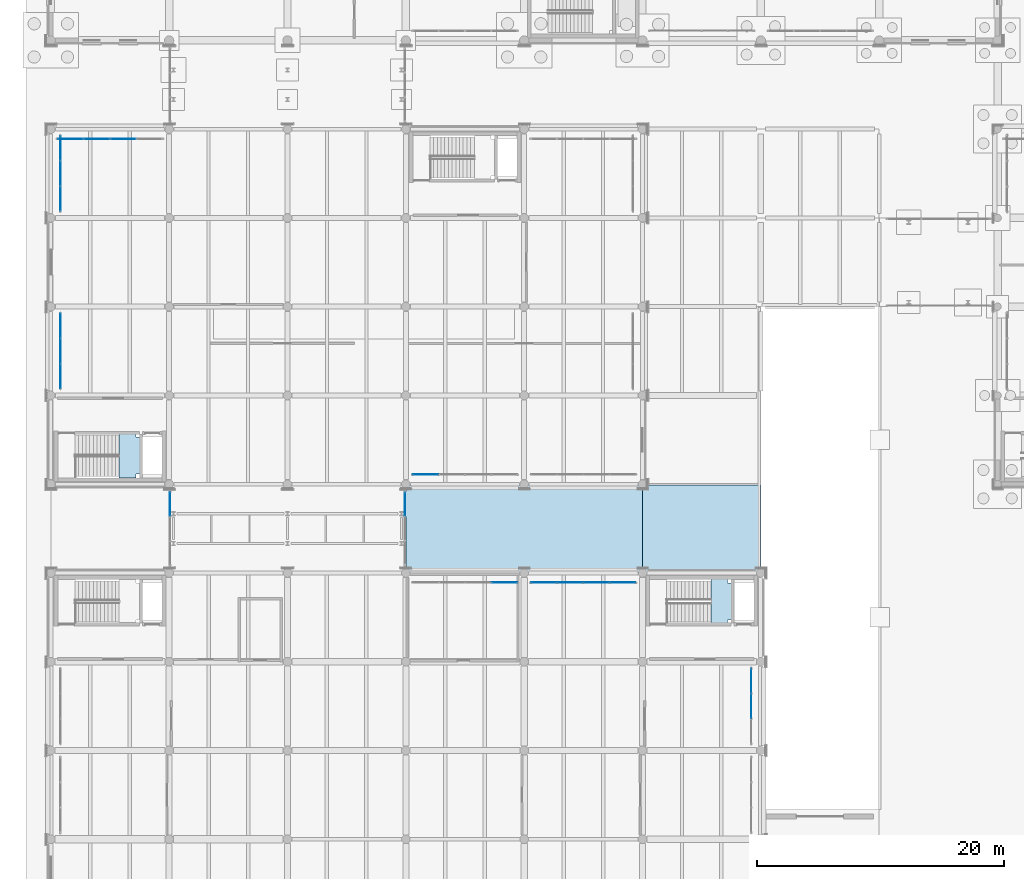
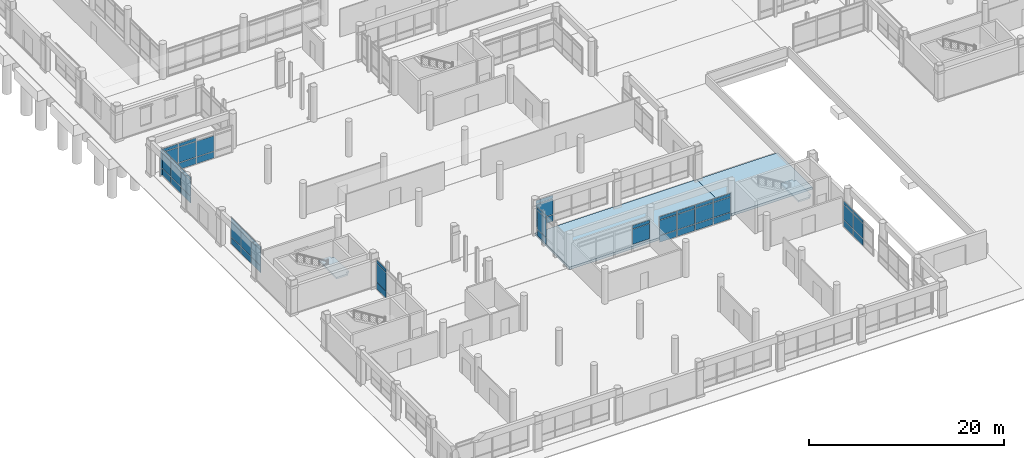
# One storey, part 143 of 196: 55 plates, 4 slabs, 11 elements without a shape of their own.
"""IFC4 building model written with IfcOpenShell, lengths in metres."""

from ifc_helpers import new_model, si_unit, direction, frame, origin, origin_2d, place, context, subcontext, project, spatial, polyline, rectangle, outline, extrude, material, layer, layer_set, type_object, element, aggregate, save


model = new_model("IFC4")

# Units and contexts
model_context = context("Model", 3, precision=1e-05, world=origin(), true_north=direction((0.0, 1.0)))
body_context = subcontext(model_context, "Body", "Model", "MODEL_VIEW")
ifc_project = project(units=[si_unit("LENGTHUNIT", "METRE"), si_unit("AREAUNIT", "SQUARE_METRE"), si_unit("VOLUMEUNIT", "CUBIC_METRE"), si_unit("PLANEANGLEUNIT", "RADIAN"), si_unit("MASSUNIT", "GRAM", prefix="KILO")], contexts=[model_context])

# Site, building, storey
site_placement = place(None, origin())
site = spatial("IfcSite", under=ifc_project, at=site_placement, CompositionType="ELEMENT")
building_placement = place(site_placement, origin())
building = spatial("IfcBuilding", under=site, at=building_placement, Name="Asteropetra Specialist Clinic", CompositionType="ELEMENT")
storey_placement = place(building_placement, origin())
storey = spatial("IfcBuildingStorey", under=building, at=storey_placement, Name="L00", CompositionType="ELEMENT", Elevation=0.0)

# Curtain wall, plates
ifc_material_1 = material(Name="Aluminium and low-E glass", Category="aluminium")
ifc_layer_1 = layer(ifc_material_1, 0.14990234375)
ifc_layer_set_1 = layer_set([ifc_layer_1], Name="Aluminium and low-E glass")
curtain_wall_type_1 = type_object("IfcCurtainWallType", Name="CW-SYS-08", PredefinedType="USERDEFINED", material=ifc_layer_set_1)
curtain_wall_1_placement = place(storey_placement, origin())
curtain_wall_1 = element("IfcCurtainWall", 1, at=curtain_wall_1_placement, inside=storey, type_object=curtain_wall_type_1, Name="Curtain Wall CW-096", ObjectType="STICK GLAZED COLONNADE", PredefinedType="USERDEFINED")
ifc_material_2 = material(Name="Low-E double glazing", Category="glass")
ifc_layer_2 = layer(ifc_material_2, 0.028076171875)
ifc_layer_set_2 = layer_set([ifc_layer_2], Name="Low-E double glazing")
plate_type_1 = type_object("IfcPlateType", Name="CWP-GLZ-28", PredefinedType="CURTAIN_PANEL", material=ifc_layer_set_2)
plate_1_placement = place(storey_placement, frame((28.719970703125, 31.974609375, 0.074951171875), z_axis=(0.0, 0.0, 1.0), x_axis=(0.0, -1.0, 0.0)))
plate_1 = element("IfcPlate", 2, at=plate_1_placement, type_object=plate_type_1, Name="CW-096 panel 1.1", PredefinedType="CURTAIN_PANEL", context=body_context, shape_type="SweptSolid", body=[
    extrude(rectangle(XDim=1.880859375, YDim=0.028076171875, at=origin_2d()), origin(), (0.0, 0.0, 1.0), 0.78759765625),
])
plate_2_placement = place(storey_placement, frame((28.719970703125, 31.974609375, 0.9375), z_axis=(0.0, 0.0, 1.0), x_axis=(0.0, -1.0, 0.0)))
plate_2 = element("IfcPlate", 3, at=plate_2_placement, type_object=plate_type_1, Name="CW-096 panel 1.2", PredefinedType="CURTAIN_PANEL", context=body_context, shape_type="SweptSolid", body=[
    extrude(rectangle(XDim=1.880859375, YDim=0.028076171875, at=origin_2d()), origin(), (0.0, 0.0, 1.0), 2.294921875),
])
plate_3_placement = place(storey_placement, frame((28.719970703125, 31.974609375, 3.3076171875), z_axis=(0.0, 0.0, 1.0), x_axis=(0.0, -1.0, 0.0)))
plate_3 = element("IfcPlate", 4, at=plate_3_placement, type_object=plate_type_1, Name="CW-096 panel 1.3", PredefinedType="CURTAIN_PANEL", context=body_context, shape_type="SweptSolid", body=[
    extrude(rectangle(XDim=1.880859375, YDim=0.028076171875, at=origin_2d()), origin(), (0.0, 0.0, 1.0), 0.387451171875),
])
aggregate(curtain_wall_1, [plate_1, plate_2, plate_3])

ifc_material_3 = material(Name="Aluminium and low-E glass", Category="aluminium")
ifc_layer_3 = layer(ifc_material_3, 0.135009765625)
ifc_layer_set_3 = layer_set([ifc_layer_3], Name="Aluminium and low-E glass")
curtain_wall_type_2 = type_object("IfcCurtainWallType", Name="CW-SYS-09", PredefinedType="USERDEFINED", material=ifc_layer_set_3)
curtain_wall_2_placement = place(storey_placement, origin())
curtain_wall_2 = element("IfcCurtainWall", 5, at=curtain_wall_2_placement, inside=storey, type_object=curtain_wall_type_2, Name="Curtain Wall CW-124", ObjectType="STICK GLAZED COLONNADE", PredefinedType="USERDEFINED")
plate_4_placement = place(storey_placement, frame((36.80126953125, 25.6201171875, 0.9326171875), z_axis=(0.0, 0.0, 1.0), x_axis=(-1.0, 0.0, 0.0)))
plate_4 = element("IfcPlate", 6, at=plate_4_placement, type_object=plate_type_1, Name="CW-124 panel 1.2", PredefinedType="CURTAIN_PANEL", context=body_context, shape_type="SweptSolid", body=[
    extrude(rectangle(XDim=2.047607421875, YDim=0.028076171875, at=origin_2d()), origin(), (0.0, 0.0, 1.0), 1.885009765625),
])
plate_5_placement = place(storey_placement, frame((36.80126953125, 25.6201171875, 2.88232421875), z_axis=(0.0, 0.0, 1.0), x_axis=(-1.0, 0.0, 0.0)))
plate_5 = element("IfcPlate", 7, at=plate_5_placement, type_object=plate_type_1, Name="CW-124 panel 1.3", PredefinedType="CURTAIN_PANEL", context=body_context, shape_type="SweptSolid", body=[
    extrude(rectangle(XDim=2.047607421875, YDim=0.028076171875, at=origin_2d()), origin(), (0.0, 0.0, 1.0), 0.402587890625),
])
aggregate(curtain_wall_2, [plate_4, plate_5])

ifc_material_4 = material(Name="Aluminium and low-E glass", Category="aluminium")
ifc_layer_4 = layer(ifc_material_4, 0.179931640625)
ifc_layer_set_4 = layer_set([ifc_layer_4], Name="Aluminium and low-E glass")
curtain_wall_type_3 = type_object("IfcCurtainWallType", Name="CW-SYS-10", PredefinedType="USERDEFINED", material=ifc_layer_set_4)
curtain_wall_3_placement = place(storey_placement, origin())
curtain_wall_3 = element("IfcCurtainWall", 8, at=curtain_wall_3_placement, inside=storey, type_object=curtain_wall_type_3, Name="Curtain Wall CW-132", ObjectType="STICK GLAZED COLONNADE", PredefinedType="USERDEFINED")
plate_6_placement = place(storey_placement, frame((56.820068359375, 15.60009765625, 0.074951171875), z_axis=(0.0, 0.0, 1.0), x_axis=(0.0, 1.0, 0.0)))
plate_6 = element("IfcPlate", 9, at=plate_6_placement, type_object=plate_type_1, Name="CW-132 panel 2.1", PredefinedType="CURTAIN_PANEL", context=body_context, shape_type="SweptSolid", body=[
    extrude(rectangle(XDim=1.985107421875, YDim=0.028076171875, at=origin_2d()), origin(), (0.0, 0.0, 1.0), 0.78759765625),
])
plate_7_placement = place(storey_placement, frame((56.820068359375, 15.60009765625, 0.9375), z_axis=(0.0, 0.0, 1.0), x_axis=(0.0, 1.0, 0.0)))
plate_7 = element("IfcPlate", 10, at=plate_7_placement, type_object=plate_type_1, Name="CW-132 panel 2.2", PredefinedType="CURTAIN_PANEL", context=body_context, shape_type="SweptSolid", body=[
    extrude(rectangle(XDim=1.985107421875, YDim=0.028076171875, at=origin_2d()), origin(), (0.0, 0.0, 1.0), 1.875),
])
plate_8_placement = place(storey_placement, frame((56.820068359375, 15.60009765625, 2.8876953125), z_axis=(0.0, 0.0, 1.0), x_axis=(0.0, 1.0, 0.0)))
plate_8 = element("IfcPlate", 11, at=plate_8_placement, type_object=plate_type_1, Name="CW-132 panel 2.3", PredefinedType="CURTAIN_PANEL", context=body_context, shape_type="SweptSolid", body=[
    extrude(rectangle(XDim=1.985107421875, YDim=0.028076171875, at=origin_2d()), origin(), (0.0, 0.0, 1.0), 0.387451171875),
])
plate_9_placement = place(storey_placement, frame((56.820068359375, 17.641357421875, 0.074951171875), z_axis=(0.0, 0.0, 1.0), x_axis=(0.0, 1.0, 0.0)))
plate_9 = element("IfcPlate", 12, at=plate_9_placement, type_object=plate_type_1, Name="CW-132 panel 3.1", PredefinedType="CURTAIN_PANEL", context=body_context, shape_type="SweptSolid", body=[
    extrude(rectangle(XDim=1.947509765625, YDim=0.028076171875, at=origin_2d()), origin(), (0.0, 0.0, 1.0), 0.78759765625),
])
plate_10_placement = place(storey_placement, frame((56.820068359375, 17.641357421875, 0.9375), z_axis=(0.0, 0.0, 1.0), x_axis=(0.0, 1.0, 0.0)))
plate_10 = element("IfcPlate", 13, at=plate_10_placement, type_object=plate_type_1, Name="CW-132 panel 3.2", PredefinedType="CURTAIN_PANEL", context=body_context, shape_type="SweptSolid", body=[
    extrude(rectangle(XDim=1.947509765625, YDim=0.028076171875, at=origin_2d()), origin(), (0.0, 0.0, 1.0), 1.875),
])
plate_11_placement = place(storey_placement, frame((56.820068359375, 17.641357421875, 2.8876953125), z_axis=(0.0, 0.0, 1.0), x_axis=(0.0, 1.0, 0.0)))
plate_11 = element("IfcPlate", 14, at=plate_11_placement, type_object=plate_type_1, Name="CW-132 panel 3.3", PredefinedType="CURTAIN_PANEL", context=body_context, shape_type="SweptSolid", body=[
    extrude(rectangle(XDim=1.947509765625, YDim=0.028076171875, at=origin_2d()), origin(), (0.0, 0.0, 1.0), 0.387451171875),
])
aggregate(curtain_wall_3, [plate_6, plate_7, plate_8, plate_9, plate_10, plate_11])

curtain_wall_4_placement = place(storey_placement, origin())
curtain_wall_4 = element("IfcCurtainWall", 15, at=curtain_wall_4_placement, inside=storey, type_object=curtain_wall_type_2, Name="Curtain Wall CW-148", ObjectType="STICK GLAZED COLONNADE", PredefinedType="USERDEFINED")
plate_12_placement = place(storey_placement, frame((30.398681640625, 34.3798828125, 0.06494140625), z_axis=(0.0, 0.0, 1.0), x_axis=(1.0, 0.0, 0.0)))
plate_12 = element("IfcPlate", 16, at=plate_12_placement, type_object=plate_type_1, Name="CW-148 panel 1.1", PredefinedType="CURTAIN_PANEL", context=body_context, shape_type="SweptSolid", body=[
    extrude(rectangle(XDim=2.047607421875, YDim=0.028076171875, at=origin_2d()), origin(), (0.0, 0.0, 1.0), 0.802490234375),
])
plate_13_placement = place(storey_placement, frame((30.398681640625, 34.3798828125, 0.932373046875), z_axis=(0.0, 0.0, 1.0), x_axis=(1.0, 0.0, 0.0)))
plate_13 = element("IfcPlate", 17, at=plate_13_placement, type_object=plate_type_1, Name="CW-148 panel 1.2", PredefinedType="CURTAIN_PANEL", context=body_context, shape_type="SweptSolid", body=[
    extrude(rectangle(XDim=2.047607421875, YDim=0.028076171875, at=origin_2d()), origin(), (0.0, 0.0, 1.0), 1.93505859375),
])
plate_14_placement = place(storey_placement, frame((30.398681640625, 34.3798828125, 2.9326171875), z_axis=(0.0, 0.0, 1.0), x_axis=(1.0, 0.0, 0.0)))
plate_14 = element("IfcPlate", 18, at=plate_14_placement, type_object=plate_type_1, Name="CW-148 panel 1.3", PredefinedType="CURTAIN_PANEL", context=body_context, shape_type="SweptSolid", body=[
    extrude(rectangle(XDim=2.047607421875, YDim=0.028076171875, at=origin_2d()), origin(), (0.0, 0.0, 1.0), 0.402587890625),
])
aggregate(curtain_wall_4, [plate_12, plate_13, plate_14])

ifc_material_5 = material(Name="Aluminium and low-E glass", Category="aluminium")
ifc_layer_5 = layer(ifc_material_5, 0.179931640625)
ifc_layer_set_5 = layer_set([ifc_layer_5], Name="Aluminium and low-E glass")
curtain_wall_type_4 = type_object("IfcCurtainWallType", Name="CW-SYS-01", PredefinedType="USERDEFINED", material=ifc_layer_set_5)
curtain_wall_5_placement = place(storey_placement, origin())
curtain_wall_5 = element("IfcCurtainWall", 19, at=curtain_wall_5_placement, inside=storey, type_object=curtain_wall_type_4, Name="Curtain Wall CW-153", ObjectType="UNITISED CURTAIN WALL", PredefinedType="USERDEFINED")
ifc_material_6 = material(Name="Low-E acoustic double glazing", Category="glass")
ifc_layer_6 = layer(ifc_material_6, 0.031982421875)
ifc_layer_set_6 = layer_set([ifc_layer_6], Name="Low-E acoustic double glazing")
plate_type_2 = type_object("IfcPlateType", Name="CWP-GLZ-32", PredefinedType="CURTAIN_PANEL", material=ifc_layer_set_6)
plate_15_placement = place(storey_placement, frame((0.780029296875, 60.84130859375, 0.074951171875), z_axis=(0.0, 0.0, 1.0), x_axis=(0.0, -1.0, 0.0)))
plate_15 = element("IfcPlate", 20, at=plate_15_placement, type_object=plate_type_2, Name="CW-153 panel 1.1", PredefinedType="CURTAIN_PANEL", context=body_context, shape_type="SweptSolid", body=[
    extrude(rectangle(XDim=1.947509765625, YDim=0.031982421875, at=origin_2d()), origin(), (0.0, 0.0, 1.0), 0.78759765625),
])
plate_16_placement = place(storey_placement, frame((0.780029296875, 60.84130859375, 0.9375), z_axis=(0.0, 0.0, 1.0), x_axis=(0.0, -1.0, 0.0)))
plate_16 = element("IfcPlate", 21, at=plate_16_placement, type_object=plate_type_2, Name="CW-153 panel 1.2", PredefinedType="CURTAIN_PANEL", context=body_context, shape_type="SweptSolid", body=[
    extrude(rectangle(XDim=1.947509765625, YDim=0.031982421875, at=origin_2d()), origin(), (0.0, 0.0, 1.0), 1.925048828125),
])
plate_17_placement = place(storey_placement, frame((0.780029296875, 60.84130859375, 2.9375), z_axis=(0.0, 0.0, 1.0), x_axis=(0.0, -1.0, 0.0)))
plate_17 = element("IfcPlate", 22, at=plate_17_placement, type_object=plate_type_2, Name="CW-153 panel 1.3", PredefinedType="CURTAIN_PANEL", context=body_context, shape_type="SweptSolid", body=[
    extrude(rectangle(XDim=1.947509765625, YDim=0.031982421875, at=origin_2d()), origin(), (0.0, 0.0, 1.0), 0.387451171875),
])
plate_18_placement = place(storey_placement, frame((0.780029296875, 58.800048828125, 0.074951171875), z_axis=(0.0, 0.0, 1.0), x_axis=(0.0, -1.0, 0.0)))
plate_18 = element("IfcPlate", 23, at=plate_18_placement, type_object=plate_type_2, Name="CW-153 panel 2.1", PredefinedType="CURTAIN_PANEL", context=body_context, shape_type="SweptSolid", body=[
    extrude(rectangle(XDim=1.985107421875, YDim=0.031982421875, at=origin_2d()), origin(), (0.0, 0.0, 1.0), 0.78759765625),
])
plate_19_placement = place(storey_placement, frame((0.780029296875, 58.800048828125, 0.9375), z_axis=(0.0, 0.0, 1.0), x_axis=(0.0, -1.0, 0.0)))
plate_19 = element("IfcPlate", 24, at=plate_19_placement, type_object=plate_type_2, Name="CW-153 panel 2.2", PredefinedType="CURTAIN_PANEL", context=body_context, shape_type="SweptSolid", body=[
    extrude(rectangle(XDim=1.985107421875, YDim=0.031982421875, at=origin_2d()), origin(), (0.0, 0.0, 1.0), 1.925048828125),
])
plate_20_placement = place(storey_placement, frame((0.780029296875, 58.800048828125, 2.9375), z_axis=(0.0, 0.0, 1.0), x_axis=(0.0, -1.0, 0.0)))
plate_20 = element("IfcPlate", 25, at=plate_20_placement, type_object=plate_type_2, Name="CW-153 panel 2.3", PredefinedType="CURTAIN_PANEL", context=body_context, shape_type="SweptSolid", body=[
    extrude(rectangle(XDim=1.985107421875, YDim=0.031982421875, at=origin_2d()), origin(), (0.0, 0.0, 1.0), 0.387451171875),
])
plate_21_placement = place(storey_placement, frame((0.780029296875, 56.7587890625, 0.074951171875), z_axis=(0.0, 0.0, 1.0), x_axis=(0.0, -1.0, 0.0)))
plate_21 = element("IfcPlate", 26, at=plate_21_placement, type_object=plate_type_2, Name="CW-153 panel 3.1", PredefinedType="CURTAIN_PANEL", context=body_context, shape_type="SweptSolid", body=[
    extrude(rectangle(XDim=1.947509765625, YDim=0.031982421875, at=origin_2d()), origin(), (0.0, 0.0, 1.0), 0.78759765625),
])
plate_22_placement = place(storey_placement, frame((0.780029296875, 56.7587890625, 0.9375), z_axis=(0.0, 0.0, 1.0), x_axis=(0.0, -1.0, 0.0)))
plate_22 = element("IfcPlate", 27, at=plate_22_placement, type_object=plate_type_2, Name="CW-153 panel 3.2", PredefinedType="CURTAIN_PANEL", context=body_context, shape_type="SweptSolid", body=[
    extrude(rectangle(XDim=1.947509765625, YDim=0.031982421875, at=origin_2d()), origin(), (0.0, 0.0, 1.0), 1.925048828125),
])
plate_23_placement = place(storey_placement, frame((0.780029296875, 56.7587890625, 2.9375), z_axis=(0.0, 0.0, 1.0), x_axis=(0.0, -1.0, 0.0)))
plate_23 = element("IfcPlate", 28, at=plate_23_placement, type_object=plate_type_2, Name="CW-153 panel 3.3", PredefinedType="CURTAIN_PANEL", context=body_context, shape_type="SweptSolid", body=[
    extrude(rectangle(XDim=1.947509765625, YDim=0.031982421875, at=origin_2d()), origin(), (0.0, 0.0, 1.0), 0.387451171875),
])
aggregate(curtain_wall_5, [plate_15, plate_16, plate_17, plate_18, plate_19, plate_20, plate_21, plate_22, plate_23])

ifc_material_7 = material(Name="Aluminium and low-E glass", Category="aluminium")
ifc_layer_7 = layer(ifc_material_7, 0.14990234375)
ifc_layer_set_7 = layer_set([ifc_layer_7], Name="Aluminium and low-E glass")
curtain_wall_type_5 = type_object("IfcCurtainWallType", Name="CW-SYS-11", PredefinedType="USERDEFINED", material=ifc_layer_set_7)
curtain_wall_6_placement = place(storey_placement, origin())
curtain_wall_6 = element("IfcCurtainWall", 29, at=curtain_wall_6_placement, inside=storey, type_object=curtain_wall_type_5, Name="Curtain Wall CW-126", ObjectType="STICK GLAZED COLONNADE", PredefinedType="USERDEFINED")
ifc_material_8 = material(Name="Solar-control triple glazing", Category="glass")
ifc_layer_8 = layer(ifc_material_8, 0.035888671875)
ifc_layer_set_8 = layer_set([ifc_layer_8], Name="Solar-control triple glazing")
plate_type_3 = type_object("IfcPlateType", Name="CWP-GLZ-36", PredefinedType="CURTAIN_PANEL", material=ifc_layer_set_8)
plate_24_placement = place(storey_placement, frame((46.398681640625, 25.6201171875, 0.074951171875), z_axis=(0.0, 0.0, 1.0), x_axis=(-1.0, 0.0, 0.0)))
plate_24 = element("IfcPlate", 30, at=plate_24_placement, type_object=plate_type_3, Name="CW-126 panel 1.1", PredefinedType="CURTAIN_PANEL", context=body_context, shape_type="SweptSolid", body=[
    extrude(rectangle(XDim=2.032470703125, YDim=0.035888671875, at=origin_2d()), origin(), (0.0, 0.0, 1.0), 0.78759765625),
])
plate_25_placement = place(storey_placement, frame((46.398681640625, 25.6201171875, 0.9375), z_axis=(0.0, 0.0, 1.0), x_axis=(-1.0, 0.0, 0.0)))
plate_25 = element("IfcPlate", 31, at=plate_25_placement, type_object=plate_type_3, Name="CW-126 panel 1.2", PredefinedType="CURTAIN_PANEL", context=body_context, shape_type="SweptSolid", body=[
    extrude(rectangle(XDim=2.032470703125, YDim=0.035888671875, at=origin_2d()), origin(), (0.0, 0.0, 1.0), 1.875),
])
plate_26_placement = place(storey_placement, frame((46.398681640625, 25.6201171875, 2.8876953125), z_axis=(0.0, 0.0, 1.0), x_axis=(-1.0, 0.0, 0.0)))
plate_26 = element("IfcPlate", 32, at=plate_26_placement, type_object=plate_type_3, Name="CW-126 panel 1.3", PredefinedType="CURTAIN_PANEL", context=body_context, shape_type="SweptSolid", body=[
    extrude(rectangle(XDim=2.032470703125, YDim=0.035888671875, at=origin_2d()), origin(), (0.0, 0.0, 1.0), 0.387451171875),
])
plate_27_placement = place(storey_placement, frame((44.2724609375, 25.6201171875, 0.074951171875), z_axis=(0.0, 0.0, 1.0), x_axis=(-1.0, 0.0, 0.0)))
plate_27 = element("IfcPlate", 33, at=plate_27_placement, type_object=plate_type_3, Name="CW-126 panel 2.1", PredefinedType="CURTAIN_PANEL", context=body_context, shape_type="SweptSolid", body=[
    extrude(rectangle(XDim=2.070068359375, YDim=0.035888671875, at=origin_2d()), origin(), (0.0, 0.0, 1.0), 0.78759765625),
])
plate_28_placement = place(storey_placement, frame((44.2724609375, 25.6201171875, 0.9375), z_axis=(0.0, 0.0, 1.0), x_axis=(-1.0, 0.0, 0.0)))
plate_28 = element("IfcPlate", 34, at=plate_28_placement, type_object=plate_type_3, Name="CW-126 panel 2.2", PredefinedType="CURTAIN_PANEL", context=body_context, shape_type="SweptSolid", body=[
    extrude(rectangle(XDim=2.070068359375, YDim=0.035888671875, at=origin_2d()), origin(), (0.0, 0.0, 1.0), 1.875),
])
plate_29_placement = place(storey_placement, frame((44.2724609375, 25.6201171875, 2.8876953125), z_axis=(0.0, 0.0, 1.0), x_axis=(-1.0, 0.0, 0.0)))
plate_29 = element("IfcPlate", 35, at=plate_29_placement, type_object=plate_type_3, Name="CW-126 panel 2.3", PredefinedType="CURTAIN_PANEL", context=body_context, shape_type="SweptSolid", body=[
    extrude(rectangle(XDim=2.070068359375, YDim=0.035888671875, at=origin_2d()), origin(), (0.0, 0.0, 1.0), 0.387451171875),
])
plate_30_placement = place(storey_placement, frame((42.12744140625, 25.6201171875, 0.074951171875), z_axis=(0.0, 0.0, 1.0), x_axis=(-1.0, 0.0, 0.0)))
plate_30 = element("IfcPlate", 36, at=plate_30_placement, type_object=plate_type_3, Name="CW-126 panel 3.1", PredefinedType="CURTAIN_PANEL", context=body_context, shape_type="SweptSolid", body=[
    extrude(rectangle(XDim=2.070068359375, YDim=0.035888671875, at=origin_2d()), origin(), (0.0, 0.0, 1.0), 0.78759765625),
])
plate_31_placement = place(storey_placement, frame((42.12744140625, 25.6201171875, 0.9375), z_axis=(0.0, 0.0, 1.0), x_axis=(-1.0, 0.0, 0.0)))
plate_31 = element("IfcPlate", 37, at=plate_31_placement, type_object=plate_type_3, Name="CW-126 panel 3.2", PredefinedType="CURTAIN_PANEL", context=body_context, shape_type="SweptSolid", body=[
    extrude(rectangle(XDim=2.070068359375, YDim=0.035888671875, at=origin_2d()), origin(), (0.0, 0.0, 1.0), 1.875),
])
plate_32_placement = place(storey_placement, frame((42.12744140625, 25.6201171875, 2.8876953125), z_axis=(0.0, 0.0, 1.0), x_axis=(-1.0, 0.0, 0.0)))
plate_32 = element("IfcPlate", 38, at=plate_32_placement, type_object=plate_type_3, Name="CW-126 panel 3.3", PredefinedType="CURTAIN_PANEL", context=body_context, shape_type="SweptSolid", body=[
    extrude(rectangle(XDim=2.070068359375, YDim=0.035888671875, at=origin_2d()), origin(), (0.0, 0.0, 1.0), 0.387451171875),
])
plate_33_placement = place(storey_placement, frame((40.001220703125, 25.6201171875, 0.074951171875), z_axis=(0.0, 0.0, 1.0), x_axis=(-1.0, 0.0, 0.0)))
plate_33 = element("IfcPlate", 39, at=plate_33_placement, type_object=plate_type_3, Name="CW-126 panel 4.1", PredefinedType="CURTAIN_PANEL", context=body_context, shape_type="SweptSolid", body=[
    extrude(rectangle(XDim=2.032470703125, YDim=0.035888671875, at=origin_2d()), origin(), (0.0, 0.0, 1.0), 0.78759765625),
])
plate_34_placement = place(storey_placement, frame((40.001220703125, 25.6201171875, 0.9375), z_axis=(0.0, 0.0, 1.0), x_axis=(-1.0, 0.0, 0.0)))
plate_34 = element("IfcPlate", 40, at=plate_34_placement, type_object=plate_type_3, Name="CW-126 panel 4.2", PredefinedType="CURTAIN_PANEL", context=body_context, shape_type="SweptSolid", body=[
    extrude(rectangle(XDim=2.032470703125, YDim=0.035888671875, at=origin_2d()), origin(), (0.0, 0.0, 1.0), 1.875),
])
plate_35_placement = place(storey_placement, frame((40.001220703125, 25.6201171875, 2.8876953125), z_axis=(0.0, 0.0, 1.0), x_axis=(-1.0, 0.0, 0.0)))
plate_35 = element("IfcPlate", 41, at=plate_35_placement, type_object=plate_type_3, Name="CW-126 panel 4.3", PredefinedType="CURTAIN_PANEL", context=body_context, shape_type="SweptSolid", body=[
    extrude(rectangle(XDim=2.032470703125, YDim=0.035888671875, at=origin_2d()), origin(), (0.0, 0.0, 1.0), 0.387451171875),
])
aggregate(curtain_wall_6, [plate_24, plate_25, plate_26, plate_27, plate_28, plate_29, plate_30, plate_31, plate_32, plate_33, plate_34, plate_35])

ifc_material_9 = material(Name="Aluminium and low-E glass", Category="aluminium")
ifc_layer_9 = layer(ifc_material_9, 0.179931640625)
ifc_layer_set_9 = layer_set([ifc_layer_9], Name="Aluminium and low-E glass")
curtain_wall_type_6 = type_object("IfcCurtainWallType", Name="CW-SYS-07", PredefinedType="USERDEFINED", material=ifc_layer_set_9)
curtain_wall_7_placement = place(storey_placement, origin())
curtain_wall_7 = element("IfcCurtainWall", 42, at=curtain_wall_7_placement, inside=storey, type_object=curtain_wall_type_6, Name="Curtain Wall CW-095", ObjectType="STICK GLAZED COLONNADE", PredefinedType="USERDEFINED")
ifc_material_10 = material(Name="Laminated skylight glazing", Category="glass")
ifc_layer_10 = layer(ifc_material_10, 0.0400390625)
ifc_layer_set_10 = layer_set([ifc_layer_10], Name="Laminated skylight glazing")
plate_type_4 = type_object("IfcPlateType", Name="CWP-GLZ-40", PredefinedType="CURTAIN_PANEL", material=ifc_layer_set_10)
plate_36_placement = place(storey_placement, frame((9.679931640625, 31.978271484375, 0.06005859375), z_axis=(0.0, 0.0, 1.0), x_axis=(0.0, 1.0, 0.0)))
plate_36 = element("IfcPlate", 43, at=plate_36_placement, type_object=plate_type_4, Name="CW-095 panel 3.1", PredefinedType="CURTAIN_PANEL", context=body_context, shape_type="SweptSolid", body=[
    extrude(rectangle(XDim=1.9033203125, YDim=0.0400390625, at=origin_2d()), origin(), (0.0, 0.0, 1.0), 0.81005859375),
])
plate_37_placement = place(storey_placement, frame((9.679931640625, 31.978271484375, 0.929931640625), z_axis=(0.0, 0.0, 1.0), x_axis=(0.0, 1.0, 0.0)))
plate_37 = element("IfcPlate", 44, at=plate_37_placement, type_object=plate_type_4, Name="CW-095 panel 3.2", PredefinedType="CURTAIN_PANEL", context=body_context, shape_type="SweptSolid", body=[
    extrude(rectangle(XDim=1.9033203125, YDim=0.0400390625, at=origin_2d()), origin(), (0.0, 0.0, 1.0), 2.31005859375),
])
plate_38_placement = place(storey_placement, frame((9.679931640625, 31.978271484375, 3.2998046875), z_axis=(0.0, 0.0, 1.0), x_axis=(0.0, 1.0, 0.0)))
plate_38 = element("IfcPlate", 45, at=plate_38_placement, type_object=plate_type_4, Name="CW-095 panel 3.3", PredefinedType="CURTAIN_PANEL", context=body_context, shape_type="SweptSolid", body=[
    extrude(rectangle(XDim=1.9033203125, YDim=0.0400390625, at=origin_2d()), origin(), (0.0, 0.0, 1.0), 0.409912109375),
])
aggregate(curtain_wall_7, [plate_36, plate_37, plate_38])

curtain_wall_8_placement = place(storey_placement, origin())
curtain_wall_8 = element("IfcCurtainWall", 46, at=curtain_wall_8_placement, inside=storey, type_object=curtain_wall_type_2, Name="Curtain Wall CW-147", ObjectType="STICK GLAZED COLONNADE", PredefinedType="USERDEFINED")
plate_39_placement = place(storey_placement, frame((5.87255859375, 61.6201171875, 0.074951171875), z_axis=(0.0, 0.0, 1.0), x_axis=(-1.0, 0.0, 0.0)))
plate_39 = element("IfcPlate", 47, at=plate_39_placement, type_object=plate_type_4, Name="CW-147 panel 2.1", PredefinedType="CURTAIN_PANEL", context=body_context, shape_type="SweptSolid", body=[
    extrude(rectangle(XDim=2.070068359375, YDim=0.0400390625, at=origin_2d()), origin(), (0.0, 0.0, 1.0), 0.78759765625),
])
plate_40_placement = place(storey_placement, frame((5.87255859375, 61.6201171875, 0.9375), z_axis=(0.0, 0.0, 1.0), x_axis=(-1.0, 0.0, 0.0)))
plate_40 = element("IfcPlate", 48, at=plate_40_placement, type_object=plate_type_4, Name="CW-147 panel 2.2", PredefinedType="CURTAIN_PANEL", context=body_context, shape_type="SweptSolid", body=[
    extrude(rectangle(XDim=2.070068359375, YDim=0.0400390625, at=origin_2d()), origin(), (0.0, 0.0, 1.0), 1.925048828125),
])
plate_41_placement = place(storey_placement, frame((3.7275390625, 61.6201171875, 0.074951171875), z_axis=(0.0, 0.0, 1.0), x_axis=(-1.0, 0.0, 0.0)))
plate_41 = element("IfcPlate", 49, at=plate_41_placement, type_object=plate_type_4, Name="CW-147 panel 3.1", PredefinedType="CURTAIN_PANEL", context=body_context, shape_type="SweptSolid", body=[
    extrude(rectangle(XDim=2.070068359375, YDim=0.0400390625, at=origin_2d()), origin(), (0.0, 0.0, 1.0), 0.78759765625),
])
plate_42_placement = place(storey_placement, frame((3.7275390625, 61.6201171875, 0.9375), z_axis=(0.0, 0.0, 1.0), x_axis=(-1.0, 0.0, 0.0)))
plate_42 = element("IfcPlate", 50, at=plate_42_placement, type_object=plate_type_4, Name="CW-147 panel 3.2", PredefinedType="CURTAIN_PANEL", context=body_context, shape_type="SweptSolid", body=[
    extrude(rectangle(XDim=2.070068359375, YDim=0.0400390625, at=origin_2d()), origin(), (0.0, 0.0, 1.0), 1.925048828125),
])
plate_43_placement = place(storey_placement, frame((3.7275390625, 61.6201171875, 2.9375), z_axis=(0.0, 0.0, 1.0), x_axis=(-1.0, 0.0, 0.0)))
plate_43 = element("IfcPlate", 51, at=plate_43_placement, type_object=plate_type_4, Name="CW-147 panel 3.3", PredefinedType="CURTAIN_PANEL", context=body_context, shape_type="SweptSolid", body=[
    extrude(rectangle(XDim=2.070068359375, YDim=0.0400390625, at=origin_2d()), origin(), (0.0, 0.0, 1.0), 0.387451171875),
])
plate_44_placement = place(storey_placement, frame((1.601318359375, 61.6201171875, 0.074951171875), z_axis=(0.0, 0.0, 1.0), x_axis=(-1.0, 0.0, 0.0)))
plate_44 = element("IfcPlate", 52, at=plate_44_placement, type_object=plate_type_4, Name="CW-147 panel 4.1", PredefinedType="CURTAIN_PANEL", context=body_context, shape_type="SweptSolid", body=[
    extrude(rectangle(XDim=2.032470703125, YDim=0.0400390625, at=origin_2d()), origin(), (0.0, 0.0, 1.0), 0.78759765625),
])
plate_45_placement = place(storey_placement, frame((1.601318359375, 61.6201171875, 0.9375), z_axis=(0.0, 0.0, 1.0), x_axis=(-1.0, 0.0, 0.0)))
plate_45 = element("IfcPlate", 53, at=plate_45_placement, type_object=plate_type_4, Name="CW-147 panel 4.2", PredefinedType="CURTAIN_PANEL", context=body_context, shape_type="SweptSolid", body=[
    extrude(rectangle(XDim=2.032470703125, YDim=0.0400390625, at=origin_2d()), origin(), (0.0, 0.0, 1.0), 1.925048828125),
])
plate_46_placement = place(storey_placement, frame((1.601318359375, 61.6201171875, 2.9375), z_axis=(0.0, 0.0, 1.0), x_axis=(-1.0, 0.0, 0.0)))
plate_46 = element("IfcPlate", 54, at=plate_46_placement, type_object=plate_type_4, Name="CW-147 panel 4.3", PredefinedType="CURTAIN_PANEL", context=body_context, shape_type="SweptSolid", body=[
    extrude(rectangle(XDim=2.032470703125, YDim=0.0400390625, at=origin_2d()), origin(), (0.0, 0.0, 1.0), 0.387451171875),
])
aggregate(curtain_wall_8, [plate_39, plate_40, plate_41, plate_42, plate_43, plate_44, plate_45, plate_46])

curtain_wall_9_placement = place(storey_placement, origin())
curtain_wall_9 = element("IfcCurtainWall", 55, at=curtain_wall_9_placement, inside=storey, type_object=curtain_wall_type_3, Name="Curtain Wall CW-151", ObjectType="STICK GLAZED COLONNADE", PredefinedType="USERDEFINED")
plate_47_placement = place(storey_placement, frame((0.780029296875, 46.44384765625, 0.06494140625), z_axis=(0.0, 0.0, 1.0), x_axis=(0.0, -1.0, 0.0)))
plate_47 = element("IfcPlate", 56, at=plate_47_placement, type_object=plate_type_4, Name="CW-151 panel 1.1", PredefinedType="CURTAIN_PANEL", context=body_context, shape_type="SweptSolid", body=[
    extrude(rectangle(XDim=1.96240234375, YDim=0.0400390625, at=origin_2d()), origin(), (0.0, 0.0, 1.0), 0.802490234375),
])
plate_48_placement = place(storey_placement, frame((0.780029296875, 46.44384765625, 0.932373046875), z_axis=(0.0, 0.0, 1.0), x_axis=(0.0, -1.0, 0.0)))
plate_48 = element("IfcPlate", 57, at=plate_48_placement, type_object=plate_type_4, Name="CW-151 panel 1.2", PredefinedType="CURTAIN_PANEL", context=body_context, shape_type="SweptSolid", body=[
    extrude(rectangle(XDim=1.96240234375, YDim=0.0400390625, at=origin_2d()), origin(), (0.0, 0.0, 1.0), 1.93505859375),
])
plate_49_placement = place(storey_placement, frame((0.780029296875, 46.44384765625, 2.9326171875), z_axis=(0.0, 0.0, 1.0), x_axis=(0.0, -1.0, 0.0)))
plate_49 = element("IfcPlate", 58, at=plate_49_placement, type_object=plate_type_4, Name="CW-151 panel 1.3", PredefinedType="CURTAIN_PANEL", context=body_context, shape_type="SweptSolid", body=[
    extrude(rectangle(XDim=1.96240234375, YDim=0.0400390625, at=origin_2d()), origin(), (0.0, 0.0, 1.0), 0.402587890625),
])
plate_50_placement = place(storey_placement, frame((0.780029296875, 44.39990234375, 0.06494140625), z_axis=(0.0, 0.0, 1.0), x_axis=(0.0, -1.0, 0.0)))
plate_50 = element("IfcPlate", 59, at=plate_50_placement, type_object=plate_type_4, Name="CW-151 panel 2.1", PredefinedType="CURTAIN_PANEL", context=body_context, shape_type="SweptSolid", body=[
    extrude(rectangle(XDim=1.9951171875, YDim=0.0400390625, at=origin_2d()), origin(), (0.0, 0.0, 1.0), 0.802490234375),
])
plate_51_placement = place(storey_placement, frame((0.780029296875, 44.39990234375, 0.932373046875), z_axis=(0.0, 0.0, 1.0), x_axis=(0.0, -1.0, 0.0)))
plate_51 = element("IfcPlate", 60, at=plate_51_placement, type_object=plate_type_4, Name="CW-151 panel 2.2", PredefinedType="CURTAIN_PANEL", context=body_context, shape_type="SweptSolid", body=[
    extrude(rectangle(XDim=1.9951171875, YDim=0.0400390625, at=origin_2d()), origin(), (0.0, 0.0, 1.0), 1.93505859375),
])
plate_52_placement = place(storey_placement, frame((0.780029296875, 44.39990234375, 2.9326171875), z_axis=(0.0, 0.0, 1.0), x_axis=(0.0, -1.0, 0.0)))
plate_52 = element("IfcPlate", 61, at=plate_52_placement, type_object=plate_type_4, Name="CW-151 panel 2.3", PredefinedType="CURTAIN_PANEL", context=body_context, shape_type="SweptSolid", body=[
    extrude(rectangle(XDim=1.9951171875, YDim=0.0400390625, at=origin_2d()), origin(), (0.0, 0.0, 1.0), 0.402587890625),
])
plate_53_placement = place(storey_placement, frame((0.780029296875, 42.356201171875, 0.06494140625), z_axis=(0.0, 0.0, 1.0), x_axis=(0.0, -1.0, 0.0)))
plate_53 = element("IfcPlate", 62, at=plate_53_placement, type_object=plate_type_4, Name="CW-151 panel 3.1", PredefinedType="CURTAIN_PANEL", context=body_context, shape_type="SweptSolid", body=[
    extrude(rectangle(XDim=1.96240234375, YDim=0.0400390625, at=origin_2d()), origin(), (0.0, 0.0, 1.0), 0.802490234375),
])
plate_54_placement = place(storey_placement, frame((0.780029296875, 42.356201171875, 0.932373046875), z_axis=(0.0, 0.0, 1.0), x_axis=(0.0, -1.0, 0.0)))
plate_54 = element("IfcPlate", 63, at=plate_54_placement, type_object=plate_type_4, Name="CW-151 panel 3.2", PredefinedType="CURTAIN_PANEL", context=body_context, shape_type="SweptSolid", body=[
    extrude(rectangle(XDim=1.96240234375, YDim=0.0400390625, at=origin_2d()), origin(), (0.0, 0.0, 1.0), 1.93505859375),
])
plate_55_placement = place(storey_placement, frame((0.780029296875, 42.356201171875, 2.9326171875), z_axis=(0.0, 0.0, 1.0), x_axis=(0.0, -1.0, 0.0)))
plate_55 = element("IfcPlate", 64, at=plate_55_placement, type_object=plate_type_4, Name="CW-151 panel 3.3", PredefinedType="CURTAIN_PANEL", context=body_context, shape_type="SweptSolid", body=[
    extrude(rectangle(XDim=1.96240234375, YDim=0.0400390625, at=origin_2d()), origin(), (0.0, 0.0, 1.0), 0.402587890625),
])
aggregate(curtain_wall_9, [plate_47, plate_48, plate_49, plate_50, plate_51, plate_52, plate_53, plate_54, plate_55])

# Stair, slab
ifc_material_11 = material(Name="Concrete C35/45", Category="concrete")
stair_type_1 = type_object("IfcStairType", Name="STR-DOG-165", PredefinedType="TWO_STRAIGHT_RUN_STAIR", material=ifc_material_11)
stair_1_placement = place(storey_placement, origin())
stair_1 = element("IfcStair", 65, at=stair_1_placement, inside=storey, type_object=stair_type_1, Name="Type I Stair ST04-L00", PredefinedType="TWO_STRAIGHT_RUN_STAIR")
ifc_material_12 = material(Name="Concrete C35/45", Category="concrete")
ifc_layer_11 = layer(ifc_material_12, 0.199951171875)
ifc_layer_set_11 = layer_set([ifc_layer_11], Name="Concrete C35/45")
slab_type_1 = type_object("IfcSlabType", Name="SLB-LND-200", PredefinedType="LANDING", material=ifc_layer_set_11)
slab_1_placement = place(storey_placement, frame((0.0, 0.0, 2.010009765625)))
slab_1 = element("IfcSlab", 66, at=slab_1_placement, type_object=slab_type_1, Name="ST04-L00 landing 1", PredefinedType="LANDING", context=body_context, shape_type="SweptSolid", body=[
    extrude(outline(polyline([(5.550048828125, 34.090087890625), (6.89990234375, 34.090087890625), (6.89990234375, 34.409912109375), (7.219970703125, 34.409912109375), (7.219970703125, 37.409912109375), (6.89990234375, 37.409912109375), (6.89990234375, 37.72998046875), (5.550048828125, 37.72998046875), (5.550048828125, 34.090087890625)])), origin(), (0.0, 0.0, 1.0), 0.199951171875),
])
aggregate(stair_1, [slab_1])

ifc_material_13 = material(Name="Concrete C35/45", Category="concrete")
stair_type_2 = type_object("IfcStairType", Name="STR-DOG-155", PredefinedType="TWO_STRAIGHT_RUN_STAIR", material=ifc_material_13)
stair_2_placement = place(storey_placement, origin())
stair_2 = element("IfcStair", 67, at=stair_2_placement, inside=storey, type_object=stair_type_2, Name="Type I Stair ST07-L00", PredefinedType="TWO_STRAIGHT_RUN_STAIR")
slab_2_placement = place(storey_placement, frame((0.0, 0.0, 2.010009765625)))
slab_2 = element("IfcSlab", 68, at=slab_2_placement, type_object=slab_type_1, Name="ST07-L00 landing 1", PredefinedType="LANDING", context=body_context, shape_type="SweptSolid", body=[
    extrude(outline(polyline([(53.550048828125, 22.27001953125), (54.89990234375, 22.27001953125), (54.89990234375, 22.590087890625), (55.219970703125, 22.590087890625), (55.219970703125, 25.590087890625), (54.89990234375, 25.590087890625), (54.89990234375, 25.909912109375), (53.550048828125, 25.909912109375), (53.550048828125, 22.27001953125)])), origin(), (0.0, 0.0, 1.0), 0.199951171875),
])
aggregate(stair_2, [slab_2])

# Slabs
ifc_material_14 = material(Name="Concrete C35/45", Category="concrete")
ifc_layer_12 = layer(ifc_material_14, 0.31005859375)
ifc_layer_set_12 = layer_set([ifc_layer_12], Name="Concrete C35/45")
slab_type_2 = type_object("IfcSlabType", Name="SLB-TER-310", PredefinedType="ROOF", material=ifc_layer_set_12)
slab_3_placement = place(storey_placement, frame((0.0, 0.0, -0.31005859375)))
element("IfcSlab", 69, at=slab_3_placement, inside=storey, type_object=slab_type_2, Name="Slab B1DECK-MID1 L00", PredefinedType="ROOF", context=body_context, shape_type="SweptSolid", body=[
    extrude(outline(polyline([(48.0, 26.449951171875), (57.60009765625, 26.449951171875), (57.60009765625, 33.550048828125), (48.0, 33.550048828125), (48.0, 26.449951171875)])), origin(), (0.0, 0.0, 1.0), 0.31005859375),
])
slab_4_placement = place(storey_placement, frame((0.0, 0.0, -0.31005859375)))
element("IfcSlab", 70, at=slab_4_placement, inside=storey, type_object=slab_type_2, Name="Slab B1DECK-M2 L00", PredefinedType="ROOF", context=body_context, shape_type="SweptSolid", body=[
    extrude(outline(polyline([(28.800048828125, 26.449951171875), (48.0, 26.449951171875), (48.0, 33.550048828125), (28.800048828125, 33.550048828125), (28.800048828125, 26.449951171875)])), origin(), (0.0, 0.0, 1.0), 0.31005859375),
])

save(model, "model.ifc")
